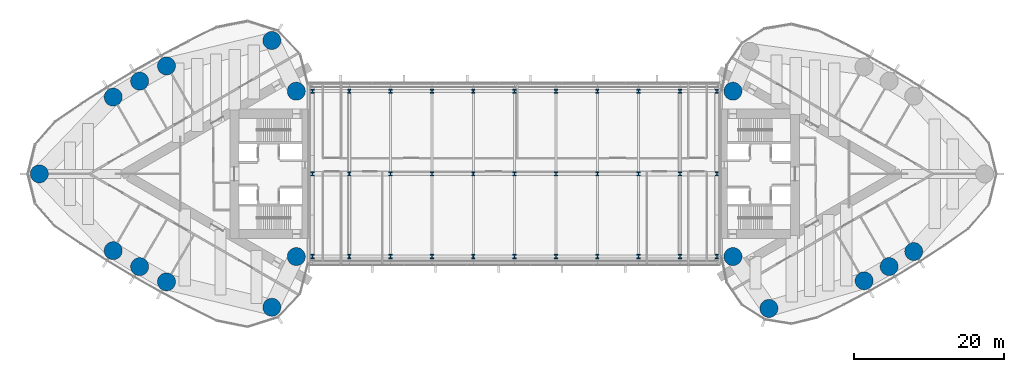
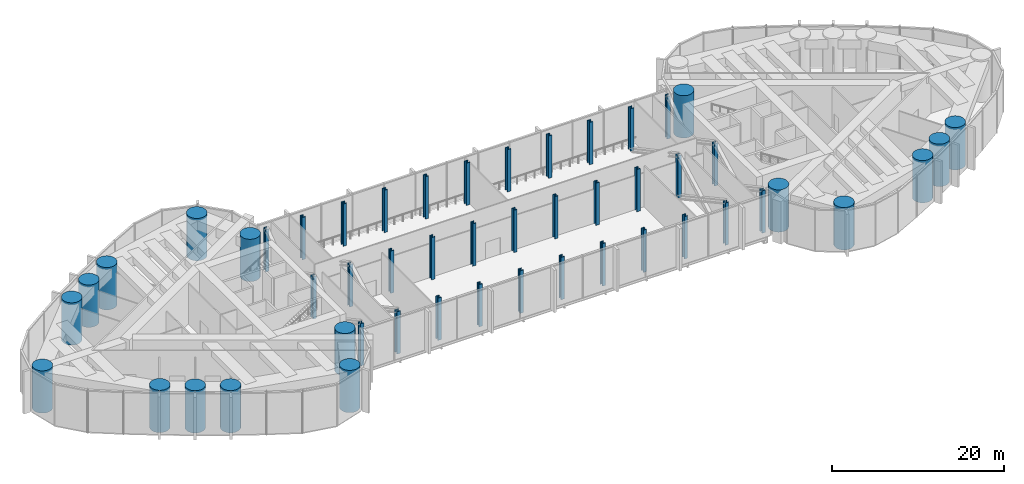
# One storey, part 1 of 21: 50 columns.
"""IFC4 building model written with IfcOpenShell, lengths in metres."""

from ifc_helpers import new_model, si_unit, direction, frame, origin, origin_2d, place, context, subcontext, project, spatial, circle, i_section, extrude, material, material_profile, profile_set, type_object, element, save


model = new_model("IFC4")

# Units and contexts
model_context = context("Model", 3, precision=1e-05, world=origin(), true_north=direction((0.0, 1.0)))
body_context = subcontext(model_context, "Body", "Model", "MODEL_VIEW")
ifc_project = project(units=[si_unit("LENGTHUNIT", "METRE"), si_unit("AREAUNIT", "SQUARE_METRE"), si_unit("VOLUMEUNIT", "CUBIC_METRE"), si_unit("PLANEANGLEUNIT", "RADIAN"), si_unit("MASSUNIT", "GRAM", prefix="KILO")], contexts=[model_context])

# Site, building, storey
site_placement = place(None, origin())
site = spatial("IfcSite", under=ifc_project, at=site_placement, CompositionType="ELEMENT")
building_placement = place(site_placement, origin())
building = spatial("IfcBuilding", under=site, at=building_placement, Name="Lancet Gate Hotel", CompositionType="ELEMENT")
storey_placement = place(building_placement, frame((0.0, 0.0, 257.300048828125)))
storey = spatial("IfcBuildingStorey", under=building, at=storey_placement, Name="L68", CompositionType="ELEMENT", Elevation=257.300048828125)

# Columns
ifc_material_1 = material(Name="Steel S460", Category="steel")
ifc_material_profile_1 = material_profile(ifc_material_1, i_section(OverallWidth=0.447998046875, OverallDepth=0.550048828125, WebThickness=0.072021484375, FlangeThickness=0.114990234375, FilletRadius=0.02001953125, at=origin_2d()), Name="HD 400x990")
ifc_profile_set_1 = profile_set([ifc_material_profile_1], Name="Steel S460")
column_type_1 = type_object("IfcColumnType", Name="Block column HD 400x990", PredefinedType="COLUMN", material=ifc_profile_set_1)
for number, where, z_axis, x_axis, name in (
    (1, (-26.89990234375, -11.0, 0.0), (0.0, 0.0, 1.0), (1.0, 0.0, 0.0), "Block column S0 L68"),
    (2, (-22.0, -11.0, 0.0), (0.0, 0.0, 1.0), (1.0, 0.0, 0.0), "Block column S1 L68"),
    (3, (-16.5, -11.0, 0.0), (0.0, 0.0, 1.0), (1.0, 0.0, 0.0), "Block column S2 L68"),
    (4, (-11.0, -11.0, 0.0), (0.0, 0.0, 1.0), (1.0, 0.0, 0.0), "Block column S3 L68"),
    (5, (-5.5, -11.0, 0.0), (0.0, 0.0, 1.0), (1.0, 0.0, 0.0), "Block column S4 L68"),
    (6, (0.0, -11.0, 0.0), (0.0, 0.0, 1.0), (1.0, 0.0, 0.0), "Block column S5 L68"),
    (7, (5.5, -11.0, 0.0), (0.0, 0.0, 1.0), (1.0, 0.0, 0.0), "Block column S6 L68"),
    (8, (11.0, -11.0, 0.0), (0.0, 0.0, 1.0), (1.0, 0.0, 0.0), "Block column S7 L68"),
    (9, (16.5, -11.0, 0.0), (0.0, 0.0, 1.0), (1.0, 0.0, 0.0), "Block column S8 L68"),
    (10, (22.0, -11.0, 0.0), (0.0, 0.0, 1.0), (1.0, 0.0, 0.0), "Block column S9 L68"),
    (11, (26.89990234375, -11.0, 0.0), (0.0, 0.0, 1.0), (1.0, 0.0, 0.0), "Block column S10 L68"),
    (12, (-26.89990234375, 0.0, 0.0), (0.0, 0.0, 1.0), (1.0, 0.0, 0.0), "Block column M0 L68"),
    (13, (-22.0, 0.0, 0.0), (0.0, 0.0, 1.0), (1.0, 0.0, 0.0), "Block column M1 L68"),
    (14, (-16.5, 0.0, 0.0), (0.0, 0.0, 1.0), (1.0, 0.0, 0.0), "Block column M2 L68"),
    (15, (-11.0, 0.0, 0.0), (0.0, 0.0, 1.0), (1.0, 0.0, 0.0), "Block column M3 L68"),
    (16, (-5.5, 0.0, 0.0), (0.0, 0.0, 1.0), (1.0, 0.0, 0.0), "Block column M4 L68"),
    (17, (0.0, 0.0, 0.0), (0.0, 0.0, 1.0), (1.0, 0.0, 0.0), "Block column M5 L68"),
    (18, (5.5, 0.0, 0.0), (0.0, 0.0, 1.0), (1.0, 0.0, 0.0), "Block column M6 L68"),
    (19, (11.0, 0.0, 0.0), (0.0, 0.0, 1.0), (1.0, 0.0, 0.0), "Block column M7 L68"),
    (20, (16.5, 0.0, 0.0), (0.0, 0.0, 1.0), (1.0, 0.0, 0.0), "Block column M8 L68"),
    (21, (22.0, 0.0, 0.0), (0.0, 0.0, 1.0), (1.0, 0.0, 0.0), "Block column M9 L68"),
    (22, (26.89990234375, 0.0, 0.0), (0.0, 0.0, 1.0), (1.0, 0.0, 0.0), "Block column M10 L68"),
    (23, (-26.89990234375, 11.0, 0.0), (0.0, 0.0, 1.0), (1.0, 0.0, 0.0), "Block column N0 L68"),
    (24, (-22.0, 11.0, 0.0), (0.0, 0.0, 1.0), (1.0, 0.0, 0.0), "Block column N1 L68"),
    (25, (-16.5, 11.0, 0.0), (0.0, 0.0, 1.0), (1.0, 0.0, 0.0), "Block column N2 L68"),
    (26, (-11.0, 11.0, 0.0), (0.0, 0.0, 1.0), (1.0, 0.0, 0.0), "Block column N3 L68"),
    (27, (-5.5, 11.0, 0.0), (0.0, 0.0, 1.0), (1.0, 0.0, 0.0), "Block column N4 L68"),
    (28, (0.0, 11.0, 0.0), (0.0, 0.0, 1.0), (1.0, 0.0, 0.0), "Block column N5 L68"),
    (29, (5.5, 11.0, 0.0), (0.0, 0.0, 1.0), (1.0, 0.0, 0.0), "Block column N6 L68"),
    (30, (11.0, 11.0, 0.0), (0.0, 0.0, 1.0), (1.0, 0.0, 0.0), "Block column N7 L68"),
    (31, (16.5, 11.0, 0.0), (0.0, 0.0, 1.0), (1.0, 0.0, 0.0), "Block column N8 L68"),
    (32, (22.0, 11.0, 0.0), (0.0, 0.0, 1.0), (1.0, 0.0, 0.0), "Block column N9 L68"),
    (33, (26.89990234375, 11.0, 0.0), (0.0, 0.0, 1.0), (1.0, 0.0, 0.0), "Block column N10 L68"),
):
    element("IfcColumn", number, at=place(storey_placement, frame(where, z_axis=z_axis, x_axis=x_axis)), inside=storey, type_object=column_type_1, Name=name, PredefinedType="COLUMN", context=body_context, shape_type="SweptSolid", body=[
        extrude(i_section(OverallWidth=0.447998046875, OverallDepth=0.550048828125, WebThickness=0.072021484375, FlangeThickness=0.114990234375, FilletRadius=0.02001953125, at=origin_2d()), origin(), (0.0, 0.0, 1.0), 6.0),
    ])
ifc_material_2 = material(Name="Concrete C50/60", Category="concrete")
ifc_material_profile_2 = material_profile(ifc_material_2, circle(Radius=1.199951171875, at=origin_2d()), Name="RC D2400")
ifc_profile_set_2 = profile_set([ifc_material_profile_2], Name="Concrete C50/60")
column_type_2 = type_object("IfcColumnType", Name="Perimeter column RC D2400", PredefinedType="COLUMN", material=ifc_profile_set_2)
for number, where, z_axis, x_axis, name in (
    (34, (-63.234375, 0.0, 0.0), (0.0, 0.0, 1.0), (1.0, 0.0, 0.0), "T1 column CA L68"),
    (35, (-32.301025390625, -17.745361328125, 0.0), (0.0, 0.0, 1.0), (1.0, 0.0, 0.0), "T1 column CN L68"),
    (36, (-32.301025390625, 17.745361328125, 0.0), (0.0, 0.0, 1.0), (1.0, 0.0, 0.0), "T1 column CS L68"),
    (37, (-29.050048828125, -11.0, 0.0), (0.0, 0.0, 1.0), (1.0, 0.0, 0.0), "T1 column IN L68"),
    (38, (-29.050048828125, 11.0, 0.0), (0.0, 0.0, 1.0), (1.0, 0.0, 0.0), "T1 column IS L68"),
    (39, (-53.40771484375, -10.218994140625, 0.0), (0.0, 0.0, 1.0), (1.0, 0.0, 0.0), "T1 column ON1 L68"),
    (40, (-49.89013671875, -12.340087890625, 0.0), (0.0, 0.0, 1.0), (1.0, 0.0, 0.0), "T1 column ON2 L68"),
    (41, (-46.316650390625, -14.365478515625, 0.0), (0.0, 0.0, 1.0), (1.0, 0.0, 0.0), "T1 column ON3 L68"),
    (42, (-46.316650390625, 14.365478515625, 0.0), (0.0, 0.0, 1.0), (1.0, 0.0, 0.0), "T1 column OS1 L68"),
    (43, (-49.89013671875, 12.340087890625, 0.0), (0.0, 0.0, 1.0), (1.0, 0.0, 0.0), "T1 column OS2 L68"),
    (44, (-53.40771484375, 10.218994140625, 0.0), (0.0, 0.0, 1.0), (1.0, 0.0, 0.0), "T1 column OS3 L68"),
    (45, (33.837158203125, -17.906005859375, 0.0), (0.0, 0.0, 1.0), (1.0, 0.0, 0.0), "T2 column CS L68"),
    (46, (29.050048828125, 11.0, 0.0), (0.0, 0.0, 1.0), (1.0, 0.0, 0.0), "T2 column IN L68"),
    (47, (29.050048828125, -11.0, 0.0), (0.0, 0.0, 1.0), (1.0, 0.0, 0.0), "T2 column IS L68"),
    (48, (46.499267578125, -14.2255859375, 0.0), (0.0, 0.0, 1.0), (1.0, 0.0, 0.0), "T2 column OS1 L68"),
    (49, (49.833984375, -12.331787109375, 0.0), (0.0, 0.0, 1.0), (1.0, 0.0, 0.0), "T2 column OS2 L68"),
    (50, (53.107666015625, -10.333984375, 0.0), (0.0, 0.0, 1.0), (1.0, 0.0, 0.0), "T2 column OS3 L68"),
):
    element("IfcColumn", number, at=place(storey_placement, frame(where, z_axis=z_axis, x_axis=x_axis)), inside=storey, type_object=column_type_2, Name=name, PredefinedType="COLUMN", context=body_context, shape_type="SweptSolid", body=[
        extrude(circle(Radius=1.199951171875, at=origin_2d()), origin(), (0.0, 0.0, 1.0), 6.0),
    ])

save(model, "model.ifc")
